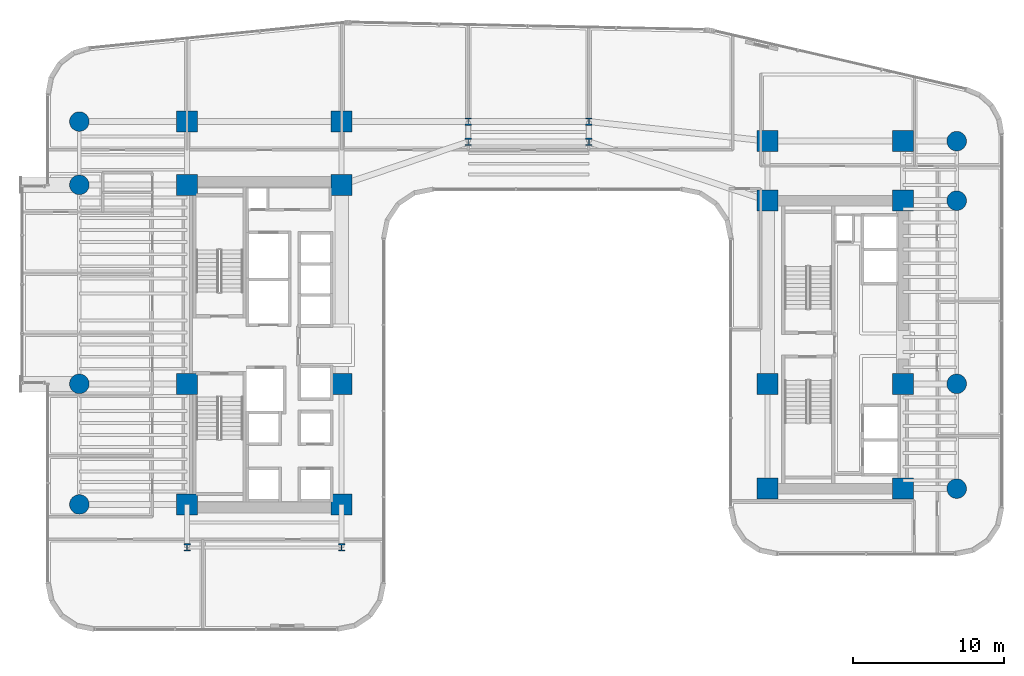
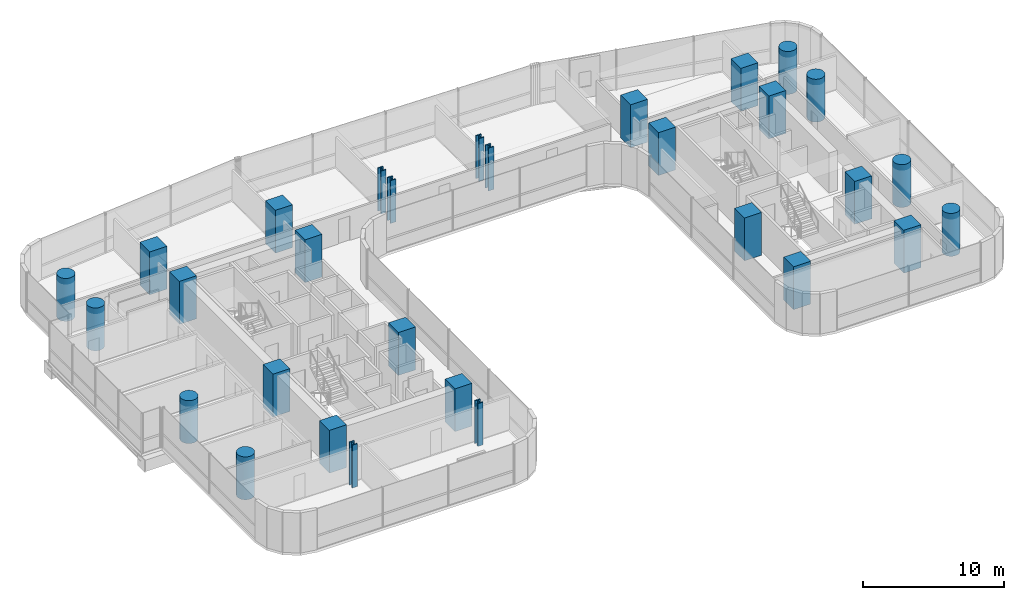
# One storey, part 1 of 38: 30 columns.
"""IFC4 building model written with IfcOpenShell, lengths in metres."""

from ifc_helpers import new_model, si_unit, direction, frame, origin, origin_2d, place, context, subcontext, project, spatial, rectangle, circle, i_section, extrude, source, transform, mapped, material, material_profile, profile_set, type_object, element, save


model = new_model("IFC4")

# Units and contexts
model_context = context("Model", 3, precision=1e-05, world=origin(), true_north=direction((0.0, 1.0)))
body_context = subcontext(model_context, "Body", "Model", "MODEL_VIEW")
ifc_project = project(units=[si_unit("LENGTHUNIT", "METRE"), si_unit("AREAUNIT", "SQUARE_METRE"), si_unit("VOLUMEUNIT", "CUBIC_METRE"), si_unit("PLANEANGLEUNIT", "RADIAN"), si_unit("MASSUNIT", "GRAM", prefix="KILO")], contexts=[model_context])

# Site, building, storey
site_placement = place(None, origin())
site = spatial("IfcSite", under=ifc_project, at=site_placement, CompositionType="ELEMENT")
building_placement = place(site_placement, origin())
building = spatial("IfcBuilding", under=site, at=building_placement, Name="Valdorenza Pilgrim Sanctuary Tower", CompositionType="ELEMENT")
storey_placement = place(building_placement, frame((0.0, 0.0, 37.10009765625)))
storey = spatial("IfcBuildingStorey", under=building, at=storey_placement, Name="L08", CompositionType="ELEMENT", Elevation=37.10009765625)

# Columns
ifc_material_1 = material(Name="Concrete C60/75", Category="concrete")
ifc_material_profile_1 = material_profile(ifc_material_1, circle(Radius=0.64990234375, at=origin_2d()), Name="RC D1300")
ifc_profile_set_1 = profile_set([ifc_material_profile_1], Name="Concrete C60/75")
column_type_1 = type_object("IfcColumnType", Name="COL-RND-1300", PredefinedType="COLUMN", material=ifc_profile_set_1)
shared_shape_1 = source(origin(), body_context, "Body", "SweptSolid", [
    extrude(circle(Radius=0.64990234375, at=origin_2d()), origin(), (0.0, 0.0, 1.0), 3.699951171875),
])
for number, where, z_axis, x_axis, name in (
    (1, (-29.800048828125, -10.60009765625, 0.0), (0.0, 0.0, 1.0), (1.0, 0.0, 0.0), "L08 Perimeter Column WA-W-S1"),
    (2, (-29.800048828125, -2.60009765625, 0.0), (0.0, 0.0, 1.0), (1.0, 0.0, 0.0), "L08 Perimeter Column WA-W-M0"),
    (3, (-29.800048828125, 10.60009765625, 0.0), (0.0, 0.0, 1.0), (1.0, 0.0, 0.0), "L08 Perimeter Column WA-W-N1"),
    (4, (-29.800048828125, 14.800048828125, 0.0), (0.0, 0.0, 1.0), (1.0, 0.0, 0.0), "L08 Perimeter Column WA-W-N2"),
    (5, (28.39990234375, -9.550048828125, 0.0), (0.0, 0.0, 1.0), (1.0, 0.0, 0.0), "L08 Perimeter Column WB-E-S1"),
    (6, (28.39990234375, -2.60009765625, 0.0), (0.0, 0.0, 1.0), (1.0, 0.0, 0.0), "L08 Perimeter Column WB-E-M0"),
    (7, (28.39990234375, 9.550048828125, 0.0), (0.0, 0.0, 1.0), (1.0, 0.0, 0.0), "L08 Perimeter Column WB-E-N1"),
    (8, (28.39990234375, 13.5, 0.0), (0.0, 0.0, 1.0), (1.0, 0.0, 0.0), "L08 Perimeter Column WB-E-N2"),
):
    element("IfcColumn", number, at=place(storey_placement, frame(where, z_axis=z_axis, x_axis=x_axis)), inside=storey, type_object=column_type_1, Name=name, PredefinedType="COLUMN", context=body_context, shape_type="MappedRepresentation", body=[
        mapped(shared_shape_1, transform((0.0, 0.0, 0.0), x_axis=(1.0, 0.0, 0.0), y_axis=(0.0, 1.0, 0.0), z_axis=(0.0, 0.0, 1.0), scale=1.0)),
    ])
ifc_material_profile_2 = material_profile(ifc_material_1, rectangle(XDim=1.39990234375, YDim=1.39990234375, at=origin_2d()), Name="RC 1400x1400")
ifc_profile_set_2 = profile_set([ifc_material_profile_2], Name="Concrete C60/75")
column_type_2 = type_object("IfcColumnType", Name="COL-Z1-1400", PredefinedType="COLUMN", material=ifc_profile_set_2)
shared_shape_2 = source(origin(), body_context, "Body", "SweptSolid", [
    extrude(rectangle(XDim=1.39990234375, YDim=1.39990234375, at=origin_2d()), origin(), (0.0, 0.0, 1.0), 3.699951171875),
])
for number, where, z_axis, x_axis, name in (
    (9, (-22.64990234375, -10.60009765625, 0.0), (0.0, 0.0, 1.0), (1.0, 0.0, 0.0), "L08 Column CA-W-S1"),
    (10, (-12.39990234375, -10.60009765625, 0.0), (0.0, 0.0, 1.0), (1.0, 0.0, 0.0), "L08 Column CA-E-S1"),
    (11, (-22.64990234375, -2.60009765625, 0.0), (0.0, 0.0, 1.0), (1.0, 0.0, 0.0), "L08 Column CA-W-M0"),
    (12, (-12.39990234375, -2.60009765625, 0.0), (0.0, 0.0, 1.0), (1.0, 0.0, 0.0), "L08 Column CA-E-M0"),
    (13, (-22.64990234375, 10.60009765625, 0.0), (0.0, 0.0, 1.0), (1.0, 0.0, 0.0), "L08 Column CA-W-N1"),
    (14, (-12.39990234375, 10.60009765625, 0.0), (0.0, 0.0, 1.0), (1.0, 0.0, 0.0), "L08 Column CA-E-N1"),
    (15, (-22.64990234375, 14.800048828125, 0.0), (0.0, 0.0, 1.0), (1.0, 0.0, 0.0), "L08 Column CA-W-N2"),
    (16, (-12.39990234375, 14.800048828125, 0.0), (0.0, 0.0, 1.0), (1.0, 0.0, 0.0), "L08 Column CA-E-N2"),
    (17, (15.85009765625, -9.550048828125, 0.0), (0.0, 0.0, 1.0), (1.0, 0.0, 0.0), "L08 Column CB-W-S1"),
    (18, (24.85009765625, -9.550048828125, 0.0), (0.0, 0.0, 1.0), (1.0, 0.0, 0.0), "L08 Column CB-E-S1"),
    (19, (15.85009765625, -2.60009765625, 0.0), (0.0, 0.0, 1.0), (1.0, 0.0, 0.0), "L08 Column CB-W-M0"),
    (20, (24.85009765625, -2.60009765625, 0.0), (0.0, 0.0, 1.0), (1.0, 0.0, 0.0), "L08 Column CB-E-M0"),
    (21, (15.85009765625, 9.550048828125, 0.0), (0.0, 0.0, 1.0), (1.0, 0.0, 0.0), "L08 Column CB-W-N1"),
    (22, (24.85009765625, 9.550048828125, 0.0), (0.0, 0.0, 1.0), (1.0, 0.0, 0.0), "L08 Column CB-E-N1"),
    (23, (15.85009765625, 13.5, 0.0), (0.0, 0.0, 1.0), (1.0, 0.0, 0.0), "L08 Column CB-W-N2"),
    (24, (24.85009765625, 13.5, 0.0), (0.0, 0.0, 1.0), (1.0, 0.0, 0.0), "L08 Column CB-E-N2"),
):
    element("IfcColumn", number, at=place(storey_placement, frame(where, z_axis=z_axis, x_axis=x_axis)), inside=storey, type_object=column_type_2, Name=name, PredefinedType="COLUMN", context=body_context, shape_type="MappedRepresentation", body=[
        mapped(shared_shape_2, transform((0.0, 0.0, 0.0), x_axis=(1.0, 0.0, 0.0), y_axis=(0.0, 1.0, 0.0), z_axis=(0.0, 0.0, 1.0), scale=1.0)),
    ])
ifc_material_2 = material(Name="Steel ASTM A992 Grade 50", Category="steel")
ifc_material_profile_3 = material_profile(ifc_material_2, i_section(OverallWidth=0.431884765625, OverallDepth=0.498046875, WebThickness=0.0556640625, FlangeThickness=0.0888671875, at=origin_2d()), Name="W14X500")
ifc_profile_set_3 = profile_set([ifc_material_profile_3], Name="Steel ASTM A992 Grade 50")
column_type_3 = type_object("IfcColumnType", Name="COL-STL-W500", PredefinedType="COLUMN", material=ifc_profile_set_3)
shared_shape_3 = source(origin(), body_context, "Body", "SweptSolid", [
    extrude(i_section(OverallWidth=0.431884765625, OverallDepth=0.498046875, WebThickness=0.0556640625, FlangeThickness=0.0888671875, at=origin_2d()), origin(), (0.0, 0.0, 1.0), 3.699951171875),
])
for number, where, z_axis, x_axis, name in (
    (25, (-22.64990234375, -13.449951171875, 0.0), (0.0, 0.0, 1.0), (1.0, 0.0, 0.0), "L08 Column WA-S-W"),
    (26, (-12.39990234375, -13.449951171875, 0.0), (0.0, 0.0, 1.0), (1.0, 0.0, 0.0), "L08 Column WA-S-E"),
    (27, (-4.0, 13.449951171875, 0.0), (0.0, 0.0, 1.0), (1.0, 0.0, 0.0), "L08 Column KNK-W1"),
    (28, (-4.0, 14.800048828125, 0.0), (0.0, 0.0, 1.0), (1.0, 0.0, 0.0), "L08 Column KNK-W2"),
    (29, (4.0, 13.449951171875, 0.0), (0.0, 0.0, 1.0), (1.0, 0.0, 0.0), "L08 Column KNK-E1"),
    (30, (4.0, 14.800048828125, 0.0), (0.0, 0.0, 1.0), (1.0, 0.0, 0.0), "L08 Column KNK-E2"),
):
    element("IfcColumn", number, at=place(storey_placement, frame(where, z_axis=z_axis, x_axis=x_axis)), inside=storey, type_object=column_type_3, Name=name, PredefinedType="COLUMN", context=body_context, shape_type="MappedRepresentation", body=[
        mapped(shared_shape_3, transform((0.0, 0.0, 0.0), x_axis=(1.0, 0.0, 0.0), y_axis=(0.0, 1.0, 0.0), z_axis=(0.0, 0.0, 1.0), scale=1.0)),
    ])

save(model, "model.ifc")
